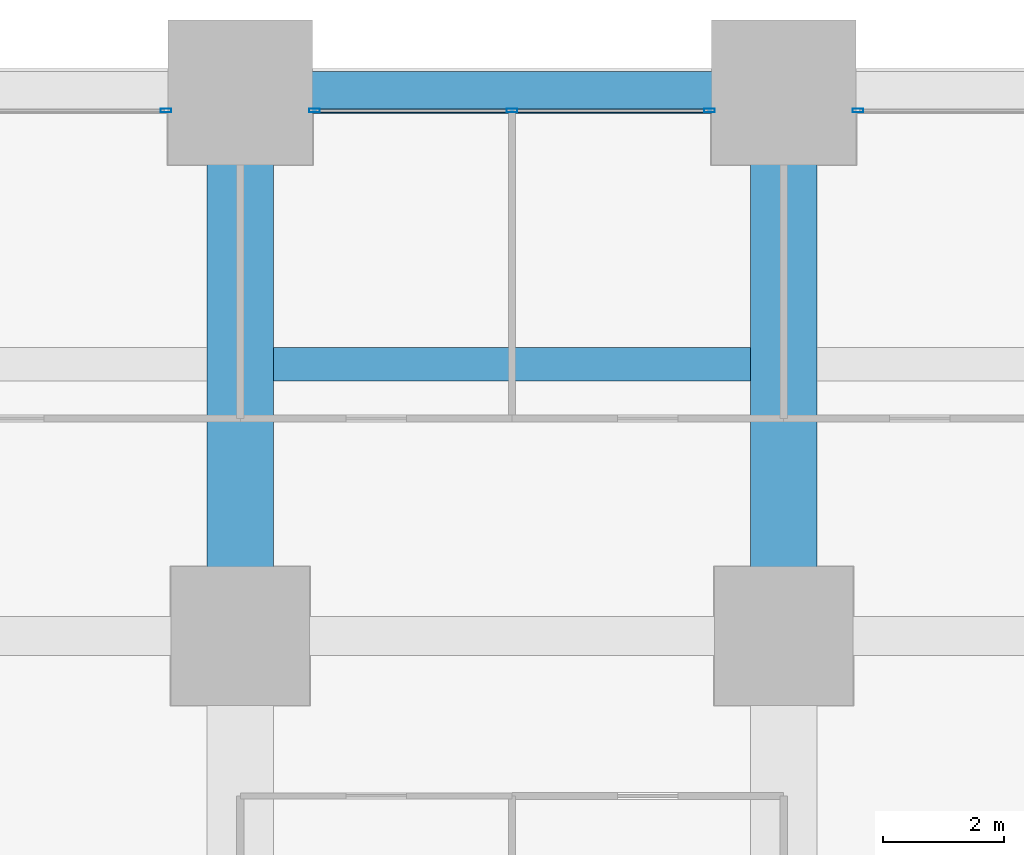
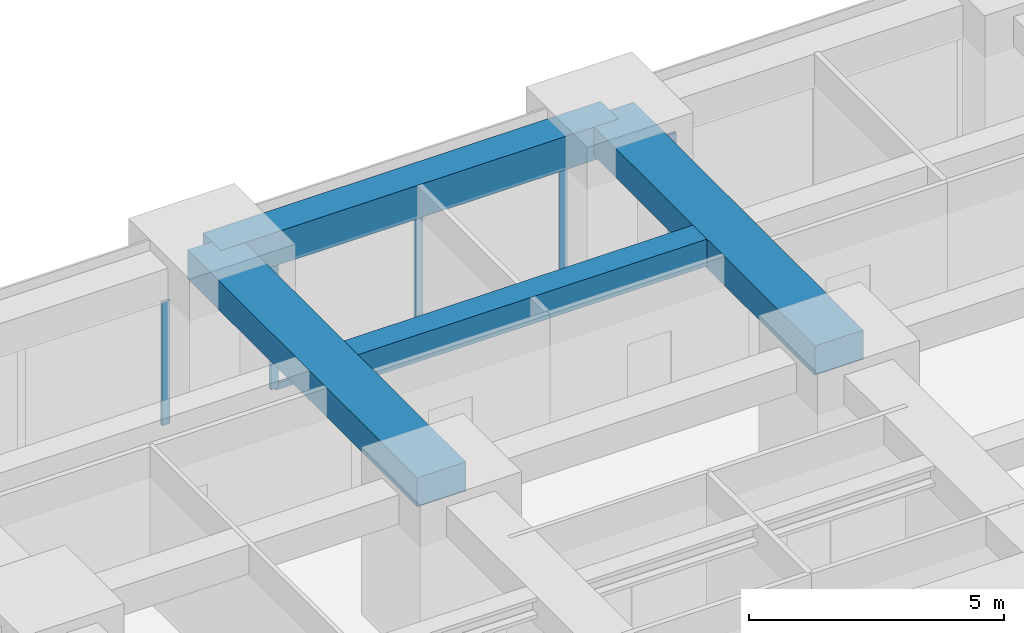
# One storey, part 35 of 44: 6 members, 4 beams, 3 elements without a shape of their own.
"""IFC4 building model written with IfcOpenShell, lengths in metres."""

import ifcopenshell
import ifcopenshell.guid

model = None  # the IFC model being written
_history = None  # IfcOwnerHistory: only IFC2X3 demands one
_inside = {}  # id of a spatial element -> (the spatial element, [elements in it])
_under = {}  # id of a project, library or spatial element -> (it, [spatial elements below it])
_declared = {}  # id of a project -> (the project, [libraries it declares])
_typed = {}  # id of a type object -> (the type object, [elements of that type])
_made_of = {}  # id of a material, layer set ... -> (it, [elements and type objects made of it])


def new_model(schema):
    """Start an empty IFC model of exactly this schema.

    Asked for "IFC4X3", IfcOpenShell would pick the latest addendum, in which some entities
    have other attributes; the version numbers below select the first issue.
    IFC2X3 requires an IfcOwnerHistory on every rooted entity: one is made here for all.
    """
    global model, _history
    if schema == "IFC4X3":
        model = ifcopenshell.file(schema_version=(4, 3, 0, 0))
    else:
        model = ifcopenshell.file(schema=schema)
    _inside.clear()
    _under.clear()
    _declared.clear()
    _typed.clear()
    _made_of.clear()
    _history = None
    if model.schema == "IFC2X3":
        org = make("IfcOrganization", Name="unknown")
        user = make(
            "IfcPersonAndOrganization",
            ThePerson=make("IfcPerson", FamilyName="unknown"),
            TheOrganization=org,
        )
        app = make(
            "IfcApplication",
            ApplicationDeveloper=org,
            Version="unknown",
            ApplicationFullName="unknown",
            ApplicationIdentifier="unknown",
        )
        _history = make(
            "IfcOwnerHistory",
            OwningUser=user,
            OwningApplication=app,
            ChangeAction="ADDED",
            CreationDate=0,
        )
    return model


def make(cls, **values):
    """One entity of the class cls with the attributes given. An attribute that is None is left unset."""
    return model.create_entity(
        cls, **{name: value for name, value in values.items() if value is not None}
    )


def rooted(cls, **values):
    """An entity with a GlobalId (a new one), such as an element, a storey or a relation."""
    return make(cls, GlobalId=ifcopenshell.guid.new(), OwnerHistory=_history, **values)


def si_unit(unit_type, name, prefix=None):
    """IfcSIUnit, for example si_unit("LENGTHUNIT", "METRE", prefix="MILLI")."""
    return make("IfcSIUnit", UnitType=unit_type, Prefix=prefix, Name=name)


def assignment(units):
    """IfcUnitAssignment: the units of a project."""
    return None if units is None else make("IfcUnitAssignment", Units=units)


def point(xyz):
    """IfcCartesianPoint."""
    return None if xyz is None else make("IfcCartesianPoint", Coordinates=xyz)


def direction(xyz):
    """IfcDirection."""
    return None if xyz is None else make("IfcDirection", DirectionRatios=xyz)


def frame(location, z_axis=None, x_axis=None):
    """IfcAxis2Placement3D, a coordinate frame: its origin and axes. An axis left out is left unset."""
    return make(
        "IfcAxis2Placement3D",
        Location=point(location),
        Axis=direction(z_axis),
        RefDirection=direction(x_axis),
    )


def frame_2d(location, x_axis=None):
    """IfcAxis2Placement2D, a coordinate frame in the plane: its origin and x axis."""
    return make(
        "IfcAxis2Placement2D", Location=point(location), RefDirection=direction(x_axis)
    )


def origin():
    """The frame at (0, 0, 0) with its axes left unset."""
    return frame((0.0, 0.0, 0.0))


def origin_2d():
    """The frame at (0, 0) in the plane with its x axis left unset."""
    return frame_2d((0.0, 0.0))


def place(relative_to, where):
    """IfcLocalPlacement: puts the frame where relative to a parent placement (None: the world)."""
    return make(
        "IfcLocalPlacement", PlacementRelTo=relative_to, RelativePlacement=where
    )


def context(
    kind, dimensions, precision=None, world=None, true_north=None, identifier=None
):
    """IfcGeometricRepresentationContext, for example the 3D "Model" context."""
    return make(
        "IfcGeometricRepresentationContext",
        ContextIdentifier=identifier,
        ContextType=kind,
        CoordinateSpaceDimension=dimensions,
        Precision=precision,
        WorldCoordinateSystem=world,
        TrueNorth=true_north,
    )


def subcontext(parent, identifier, kind, view, scale=None):
    """IfcGeometricRepresentationSubContext, for example "Body" below "Model"."""
    return make(
        "IfcGeometricRepresentationSubContext",
        ContextIdentifier=identifier,
        ContextType=kind,
        ParentContext=parent,
        TargetScale=scale,
        TargetView=view,
    )


def project(units=None, contexts=None):
    """IfcProject with its units and contexts."""
    return rooted(
        "IfcProject",
        Name="project",
        RepresentationContexts=contexts,
        UnitsInContext=assignment(units),
    )


def spatial(cls, under=None, at=None, **own):
    """A site, building, storey or space (cls), placed at a placement, below another one or the project."""
    s = rooted(cls, ObjectPlacement=at, **own)
    if under is not None:
        _under.setdefault(under.id(), (under, []))[1].append(s)
    return s


def profile(cls, at=None, kind="AREA", **sizes):
    """A parametric profile (cls). Its sizes go by their IFC names, for example OverallWidth=200.0."""
    return make(cls, ProfileType=kind, Position=at, **sizes)


def rectangle(**sizes):
    """IfcRectangleProfileDef."""
    return profile("IfcRectangleProfileDef", **sizes)


def hollow_rectangle(**sizes):
    """IfcRectangleHollowProfileDef."""
    return profile("IfcRectangleHollowProfileDef", **sizes)


def extrude(swept, where, along, depth):
    """IfcExtrudedAreaSolid: the profile swept, set in the frame where, extruded along a direction by depth."""
    return make(
        "IfcExtrudedAreaSolid",
        SweptArea=swept,
        Position=where,
        ExtrudedDirection=direction(along),
        Depth=depth,
    )


def shape(context_of_items, identifier, shape_type, items):
    """IfcShapeRepresentation: the items that make up one representation, for example the "Body"."""
    return make(
        "IfcShapeRepresentation",
        ContextOfItems=context_of_items,
        RepresentationIdentifier=identifier,
        RepresentationType=shape_type,
        Items=items,
    )


def material(Name=None, Category=None):
    """IfcMaterial."""
    return make("IfcMaterial", Name=Name, Category=Category)


def material_profile(
    of_material, cross_section, Name=None, Category=None, Priority=None
):
    """IfcMaterialProfile: a cross section and its material."""
    return make(
        "IfcMaterialProfile",
        Name=Name,
        Material=of_material,
        Profile=cross_section,
        Priority=Priority,
        Category=Category,
    )


def profile_set(profiles, Name=None, composite=None):
    """IfcMaterialProfileSet."""
    return make(
        "IfcMaterialProfileSet",
        Name=Name,
        MaterialProfiles=profiles,
        CompositeProfile=composite,
    )


def made_of(thing, what):
    """Note that an element or type object is made of a material, layer set ...; save() writes the relation."""
    if what is not None:
        _made_of.setdefault(what.id(), (what, []))[1].append(thing)
    return thing


def type_object(cls, material=None, **own):
    """A type object (cls), such as IfcWallType, which elements share."""
    return made_of(rooted(cls, **own), material)


def element(
    cls,
    number,
    at=None,
    inside=None,
    cuts=None,
    type_object=None,
    material=None,
    context=None,
    identifier="Body",
    shape_type=None,
    held_by="IfcProductDefinitionShape",
    body=None,
    shapes=None,
    **own,
):
    """One element of the class cls, such as IfcWall. Its Tag is "e" and its number.

    at: its placement. inside: the storey or other place that contains it. cuts: it is an
    opening in that element (IfcRelVoidsElement). A single representation is given by context,
    identifier, shape_type and body (its items); several are given by shapes. held_by: the class
    of the entity that holds the representations. save() writes the other relations.
    """
    e = rooted(cls, Tag="e%d" % number, ObjectPlacement=at, **own)
    if body is not None:
        shapes = [shape(context, identifier, shape_type, body)]
    if shapes is not None:
        e.Representation = make(held_by, Representations=shapes)
    if inside is not None:
        _inside.setdefault(inside.id(), (inside, []))[1].append(e)
    if cuts is not None:
        rooted(
            "IfcRelVoidsElement", RelatingBuildingElement=cuts, RelatedOpeningElement=e
        )
    if type_object is not None:
        _typed.setdefault(type_object.id(), (type_object, []))[1].append(e)
    return made_of(e, material)


def aggregate(whole, parts):
    """IfcRelAggregates: a whole, such as a stair, and the parts it consists of."""
    return rooted("IfcRelAggregates", RelatingObject=whole, RelatedObjects=parts)


def save(model, path):
    """Write the relations noted so far, then the file.

    IfcRelAggregates (storeys below a building ...), IfcRelContainedInSpatialStructure (elements
    in a storey), IfcRelDefinesByType, IfcRelAssociatesMaterial and IfcRelDeclares: one each for
    every whole, place, type object, material and project.
    """
    for whole, parts in _under.values():
        aggregate(whole, parts)
    for where, things in _inside.values():
        rooted(
            "IfcRelContainedInSpatialStructure",
            RelatedElements=things,
            RelatingStructure=where,
        )
    for kind, things in _typed.values():
        rooted("IfcRelDefinesByType", RelatedObjects=things, RelatingType=kind)
    for what, things in _made_of.values():
        rooted("IfcRelAssociatesMaterial", RelatedObjects=things, RelatingMaterial=what)
    for by, libraries in _declared.values():
        rooted("IfcRelDeclares", RelatingContext=by, RelatedDefinitions=libraries)
    model.write(path)


model = new_model("IFC4")

# Units and contexts
model_context = context("Model", 3, precision=1e-05, world=origin(), true_north=direction((0.0, 1.0)))
body_context = subcontext(model_context, "Body", "Model", "MODEL_VIEW")
ifc_project = project(units=[si_unit("LENGTHUNIT", "METRE"), si_unit("AREAUNIT", "SQUARE_METRE"), si_unit("VOLUMEUNIT", "CUBIC_METRE"), si_unit("PLANEANGLEUNIT", "RADIAN"), si_unit("MASSUNIT", "GRAM", prefix="KILO")], contexts=[model_context])

# Site, building, storey
site_placement = place(None, origin())
site = spatial("IfcSite", under=ifc_project, at=site_placement, CompositionType="ELEMENT")
building_placement = place(site_placement, origin())
building = spatial("IfcBuilding", under=site, at=building_placement, Name="Zorevar Civic Tower", CompositionType="ELEMENT")
storey_placement = place(building_placement, frame((0.0, 0.0, 43.800048828125)))
storey = spatial("IfcBuildingStorey", under=building, at=storey_placement, Name="L10", CompositionType="ELEMENT", Elevation=43.800048828125)

# Beams
ifc_material_1 = material(Name="Concrete C50/60", Category="concrete")
ifc_material_profile_1 = material_profile(ifc_material_1, rectangle(XDim=1.10009765625, YDim=0.699951171875, at=origin_2d()), Name="RC 1100x700")
ifc_profile_set_1 = profile_set([ifc_material_profile_1], Name="Concrete C50/60")
beam_type_1 = type_object("IfcBeamType", Name="Beam RC 1100x700", PredefinedType="BEAM", material=ifc_profile_set_1)
for number, where, z_axis, x_axis, name in (
    (1, (36.0, 45.0, 3.39990234375), (0.0, 1.0, 0.0), (-1.0, 0.0, 0.0), "Girder L11"),
    (2, (45.0, 45.0, 3.39990234375), (0.0, 1.0, 0.0), (-1.0, 0.0, 0.0), "Girder L11"),
):
    element("IfcBeam", number, at=place(storey_placement, frame(where, z_axis=z_axis, x_axis=x_axis)), inside=storey, type_object=beam_type_1, Name=name, PredefinedType="BEAM", context=body_context, shape_type="SweptSolid", body=[
        extrude(rectangle(XDim=1.10009765625, YDim=0.699951171875, at=origin_2d()), origin(), (0.0, 0.0, 1.0), 9.0),
    ])
ifc_material_2 = material(Name="Concrete C50/60", Category="concrete")
ifc_material_profile_2 = material_profile(ifc_material_2, rectangle(XDim=0.550048828125, YDim=0.64990234375, at=origin_2d()), Name="RC 550x650")
ifc_profile_set_2 = profile_set([ifc_material_profile_2], Name="Concrete C50/60")
beam_type_2 = type_object("IfcBeamType", Name="Beam RC 550x650", PredefinedType="BEAM", material=ifc_profile_set_2)
beam_1_placement = place(storey_placement, frame((36.550048828125, 49.5, 3.425048828125), z_axis=(1.0, 0.0, 0.0), x_axis=(0.0, 1.0, 0.0)))
element("IfcBeam", 3, at=beam_1_placement, inside=storey, type_object=beam_type_2, Name="Secondary beam L11", PredefinedType="BEAM", context=body_context, shape_type="SweptSolid", body=[
    extrude(rectangle(XDim=0.550048828125, YDim=0.64990234375, at=origin_2d()), origin(), (0.0, 0.0, 1.0), 7.89990234375),
])

# Curtain wall, member
ifc_material_3 = material(Name="Dark grey solar-control glass in black aluminium frame", Category="aluminium")
curtain_wall_type = type_object("IfcCurtainWallType", Name="Curtain wall CW2 low zone", PredefinedType="NOTDEFINED", material=ifc_material_3)
curtain_wall_1_placement = place(storey_placement, origin())
curtain_wall_1 = element("IfcCurtainWall", 4, at=curtain_wall_1_placement, inside=storey, type_object=curtain_wall_type, Name="CW2 L10", PredefinedType="NOTDEFINED")
ifc_material_4 = material(Name="Aluminium, black anodised", Category="aluminium")
ifc_material_profile_3 = material_profile(ifc_material_4, hollow_rectangle(XDim=0.06005859375, YDim=0.179931640625, WallThickness=0.00390625, at=origin_2d()), Name="AL 180x60x4")
ifc_profile_set_3 = profile_set([ifc_material_profile_3], Name="Aluminium, black anodised")
member_type_1 = type_object("IfcMemberType", Name="CW2 mullion AL 180x60x4", PredefinedType="MULLION", material=ifc_profile_set_3)
member_1_placement = place(storey_placement, frame((34.77001953125, 53.699951171875, 0.0), z_axis=(0.0, 0.0, 1.0), x_axis=(0.0, 1.0, 0.0)))
member_1 = element("IfcMember", 5, at=member_1_placement, type_object=member_type_1, Name="CW2 mullion 3", PredefinedType="MULLION", context=body_context, shape_type="SweptSolid", body=[
    extrude(hollow_rectangle(XDim=0.06005859375, YDim=0.179931640625, WallThickness=0.00390625, at=origin_2d()), origin(), (0.0, 0.0, 1.0), 2.949951171875),
])
aggregate(curtain_wall_1, [member_1])

# Curtain wall, members
curtain_wall_2_placement = place(storey_placement, origin())
curtain_wall_2 = element("IfcCurtainWall", 6, at=curtain_wall_2_placement, inside=storey, type_object=curtain_wall_type, Name="CW2 L10", PredefinedType="NOTDEFINED")
member_2_placement = place(storey_placement, frame((37.22998046875, 53.699951171875, 0.0), z_axis=(0.0, 0.0, 1.0), x_axis=(0.0, 1.0, 0.0)))
member_2 = element("IfcMember", 7, at=member_2_placement, type_object=member_type_1, Name="CW2 mullion 1", PredefinedType="MULLION", context=body_context, shape_type="SweptSolid", body=[
    extrude(hollow_rectangle(XDim=0.06005859375, YDim=0.179931640625, WallThickness=0.00390625, at=origin_2d()), origin(), (0.0, 0.0, 1.0), 2.949951171875),
])
member_3_placement = place(storey_placement, frame((40.5, 53.699951171875, 0.06005859375), z_axis=(0.0, 0.0, 1.0), x_axis=(0.0, 1.0, 0.0)))
member_3 = element("IfcMember", 8, at=member_3_placement, type_object=member_type_1, Name="CW2 mullion 2", PredefinedType="MULLION", context=body_context, shape_type="SweptSolid", body=[
    extrude(hollow_rectangle(XDim=0.06005859375, YDim=0.179931640625, WallThickness=0.00390625, at=origin_2d()), origin(), (0.0, 0.0, 1.0), 2.889892578125),
])
member_4_placement = place(storey_placement, frame((43.77001953125, 53.699951171875, 0.0), z_axis=(0.0, 0.0, 1.0), x_axis=(0.0, 1.0, 0.0)))
member_4 = element("IfcMember", 9, at=member_4_placement, type_object=member_type_1, Name="CW2 mullion 3", PredefinedType="MULLION", context=body_context, shape_type="SweptSolid", body=[
    extrude(hollow_rectangle(XDim=0.06005859375, YDim=0.179931640625, WallThickness=0.00390625, at=origin_2d()), origin(), (0.0, 0.0, 1.0), 2.949951171875),
])

# Curtain wall, member
curtain_wall_3_placement = place(storey_placement, origin())
curtain_wall_3 = element("IfcCurtainWall", 10, at=curtain_wall_3_placement, inside=storey, type_object=curtain_wall_type, Name="CW2 L10", PredefinedType="NOTDEFINED")
member_5_placement = place(storey_placement, frame((46.22998046875, 53.699951171875, 0.0), z_axis=(0.0, 0.0, 1.0), x_axis=(0.0, 1.0, 0.0)))
member_5 = element("IfcMember", 11, at=member_5_placement, type_object=member_type_1, Name="CW2 mullion 1", PredefinedType="MULLION", context=body_context, shape_type="SweptSolid", body=[
    extrude(hollow_rectangle(XDim=0.06005859375, YDim=0.179931640625, WallThickness=0.00390625, at=origin_2d()), origin(), (0.0, 0.0, 1.0), 2.949951171875),
])
aggregate(curtain_wall_3, [member_5])

# Member
ifc_material_5 = material(Name="Aluminium, black anodised", Category="aluminium")
ifc_material_profile_4 = material_profile(ifc_material_5, hollow_rectangle(XDim=0.06005859375, YDim=0.14990234375, WallThickness=0.00390625, at=origin_2d()), Name="AL 150x60x4")
ifc_profile_set_4 = profile_set([ifc_material_profile_4], Name="Aluminium, black anodised")
member_type_2 = type_object("IfcMemberType", Name="CW2 transom AL 150x60x4", PredefinedType="USERDEFINED", material=ifc_profile_set_4)
member_6_placement = place(storey_placement, frame((37.260009765625, 53.699951171875, 0.030029296875), z_axis=(1.0, 0.0, 0.0), x_axis=(0.0, 1.0, 0.0)))
member_6 = element("IfcMember", 12, at=member_6_placement, type_object=member_type_2, Name="CW2 sill transom", ObjectType="TRANSOM", PredefinedType="USERDEFINED", context=body_context, shape_type="SweptSolid", body=[
    extrude(hollow_rectangle(XDim=0.06005859375, YDim=0.14990234375, WallThickness=0.00390625, at=origin_2d()), origin(), (0.0, 0.0, 1.0), 6.47998046875),
])

aggregate(curtain_wall_2, [member_2, member_3, member_4, member_6])

# Beam
ifc_material_6 = material(Name="Concrete C50/60", Category="concrete")
ifc_material_profile_5 = material_profile(ifc_material_6, rectangle(XDim=0.699951171875, YDim=0.800048828125, at=origin_2d()), Name="RC 700x800")
ifc_profile_set_5 = profile_set([ifc_material_profile_5], Name="Concrete C50/60")
beam_type_3 = type_object("IfcBeamType", Name="Edge beam RC 700x800", PredefinedType="SPANDREL", material=ifc_profile_set_5)
beam_2_placement = place(storey_placement, frame((36.0, 54.0, 3.349853515625), z_axis=(1.0, 0.0, 0.0), x_axis=(0.0, 1.0, 0.0)))
element("IfcBeam", 13, at=beam_2_placement, inside=storey, type_object=beam_type_3, Name="Edge beam L11", PredefinedType="SPANDREL", context=body_context, shape_type="SweptSolid", body=[
    extrude(rectangle(XDim=0.699951171875, YDim=0.800048828125, at=origin_2d()), origin(), (0.0, 0.0, 1.0), 9.0),
])

save(model, "model.ifc")
